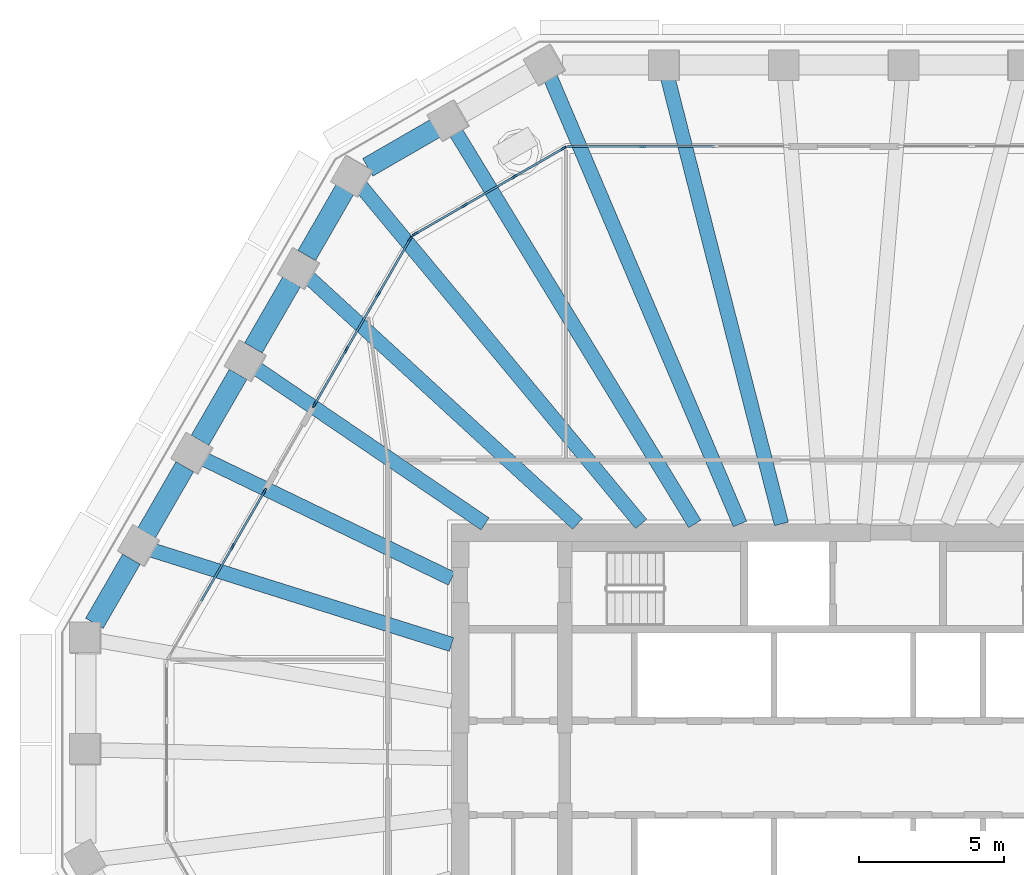
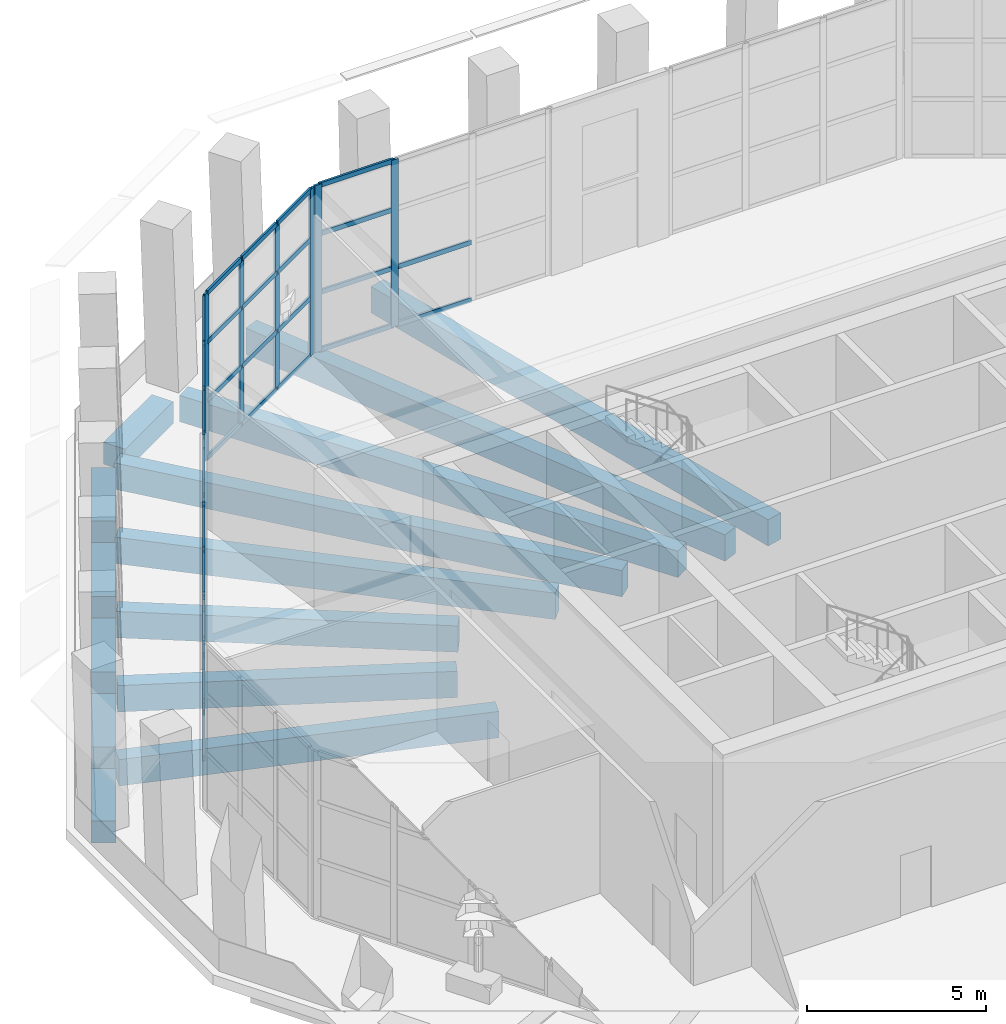
# One storey, part 6 of 19: 50 members, 14 beams, 4 elements without a shape of their own.
"""IFC4 building model written with IfcOpenShell, lengths in metres."""

from ifc_helpers import new_model, si_unit, direction, frame, origin, origin_2d, place, context, subcontext, project, spatial, rectangle, extrude, material, material_profile, profile_set, type_object, element, aggregate, save


model = new_model("IFC4")

# Units and contexts
model_context = context("Model", 3, precision=1e-05, world=origin(), true_north=direction((0.0, 1.0)))
body_context = subcontext(model_context, "Body", "Model", "MODEL_VIEW")
ifc_project = project(units=[si_unit("LENGTHUNIT", "METRE"), si_unit("AREAUNIT", "SQUARE_METRE"), si_unit("VOLUMEUNIT", "CUBIC_METRE"), si_unit("PLANEANGLEUNIT", "RADIAN"), si_unit("MASSUNIT", "GRAM", prefix="KILO")], contexts=[model_context])

# Site, building, storey
site_placement = place(None, origin())
site = spatial("IfcSite", under=ifc_project, at=site_placement, CompositionType="ELEMENT")
building_placement = place(site_placement, origin())
building = spatial("IfcBuilding", under=site, at=building_placement, Name="Frailejon Research Tower", CompositionType="ELEMENT")
storey_placement = place(building_placement, frame((0.0, 0.0, 231.39990234375)))
storey = spatial("IfcBuildingStorey", under=building, at=storey_placement, Name="L50", CompositionType="ELEMENT", Elevation=231.39990234375)

# Beams
ifc_material_1 = material(Name="Concrete C60/75", Category="concrete")
ifc_material_profile_1 = material_profile(ifc_material_1, rectangle(XDim=0.5, YDim=0.89990234375, at=origin_2d()), Name="Girder 500x900")
ifc_profile_set_1 = profile_set([ifc_material_profile_1], Name="Concrete C60/75")
beam_type_1 = type_object("IfcBeamType", Name="Girder 500x900", PredefinedType="BEAM", material=ifc_profile_set_1)
beam_1_placement = place(storey_placement, frame((-6.070556640625, 23.8203125, -0.75), z_axis=(0.24694438602, -0.969029653939, 0.0), x_axis=(0.969029653939, 0.24694438602, 0.0)))
element("IfcBeam", 1, at=beam_1_placement, inside=storey, type_object=beam_type_1, Name="Girder 500x900", PredefinedType="BEAM", context=body_context, shape_type="SweptSolid", body=[
    extrude(rectangle(XDim=0.5, YDim=0.89990234375, at=origin_2d()), origin(), (0.0, 0.0, 1.0), 15.913330078125),
])
beam_2_placement = place(storey_placement, frame((-10.130859375, 23.851318359375, -0.75), z_axis=(0.390945698015, -0.920413744575, 0.0), x_axis=(0.920413744575, 0.390945698015, 0.0)))
element("IfcBeam", 2, at=beam_2_placement, inside=storey, type_object=beam_type_1, Name="Girder 500x900", PredefinedType="BEAM", context=body_context, shape_type="SweptSolid", body=[
    extrude(rectangle(XDim=0.5, YDim=0.89990234375, at=origin_2d()), origin(), (0.0, 0.0, 1.0), 16.787353515625),
])
beam_3_placement = place(storey_placement, frame((-13.397705078125, 21.96630859375, -0.75), z_axis=(0.520709037353, -0.853734208298, 0.0), x_axis=(0.853734208298, 0.520709037353, 0.0)))
element("IfcBeam", 3, at=beam_3_placement, inside=storey, type_object=beam_type_1, Name="Girder 500x900", PredefinedType="BEAM", context=body_context, shape_type="SweptSolid", body=[
    extrude(rectangle(XDim=0.5, YDim=0.89990234375, at=origin_2d()), origin(), (0.0, 0.0, 1.0), 15.890625),
])
beam_4_placement = place(storey_placement, frame((-16.645263671875, 20.057861328125, -0.75), z_axis=(0.638609020392, -0.769531363281, 0.0), x_axis=(0.769531363281, 0.638609020392, 0.0)))
element("IfcBeam", 4, at=beam_4_placement, inside=storey, type_object=beam_type_1, Name="Girder 500x900", PredefinedType="BEAM", context=body_context, shape_type="SweptSolid", body=[
    extrude(rectangle(XDim=0.5, YDim=0.89990234375, at=origin_2d()), origin(), (0.0, 0.0, 1.0), 15.1494140625),
])
beam_5_placement = place(storey_placement, frame((-18.459228515625, 16.927490234375, -0.75), z_axis=(0.737027222867, -0.675863057693, 0.0), x_axis=(0.675863057693, 0.737027222867, 0.0)))
element("IfcBeam", 5, at=beam_5_placement, inside=storey, type_object=beam_type_1, Name="Girder 500x900", PredefinedType="BEAM", context=body_context, shape_type="SweptSolid", body=[
    extrude(rectangle(XDim=0.5, YDim=0.89990234375, at=origin_2d()), origin(), (0.0, 0.0, 1.0), 12.617431640625),
])
beam_6_placement = place(storey_placement, frame((-20.27197265625, 13.794189453125, -0.75), z_axis=(0.826752189304, -0.5625662783, 0.0), x_axis=(0.5625662783, 0.826752189304, 0.0)))
element("IfcBeam", 6, at=beam_6_placement, inside=storey, type_object=beam_type_1, Name="Girder 500x900", PredefinedType="BEAM", context=body_context, shape_type="SweptSolid", body=[
    extrude(rectangle(XDim=0.5, YDim=0.89990234375, at=origin_2d()), origin(), (0.0, 0.0, 1.0), 9.588623046875),
])
beam_7_placement = place(storey_placement, frame((-22.082275390625, 10.658935546875, -0.75), z_axis=(0.90057584555, -0.434698914667, 0.0), x_axis=(0.434698914667, 0.90057584555, 0.0)))
element("IfcBeam", 7, at=beam_7_placement, inside=storey, type_object=beam_type_1, Name="Girder 500x900", PredefinedType="BEAM", context=body_context, shape_type="SweptSolid", body=[
    extrude(rectangle(XDim=0.5, YDim=0.89990234375, at=origin_2d()), origin(), (0.0, 0.0, 1.0), 9.52978515625),
])
beam_8_placement = place(storey_placement, frame((-23.889404296875, 7.5224609375, -0.75), z_axis=(0.953829632045, -0.300348186333, 0.0), x_axis=(0.300348186333, 0.953829632045, 0.0)))
element("IfcBeam", 8, at=beam_8_placement, inside=storey, type_object=beam_type_1, Name="Girder 500x900", PredefinedType="BEAM", context=body_context, shape_type="SweptSolid", body=[
    extrude(rectangle(XDim=0.5, YDim=0.89990234375, at=origin_2d()), origin(), (0.0, 0.0, 1.0), 10.892333984375),
])

# Curtain wall, members
ifc_material_2 = material(Name="Aluminium curtain wall", Category="aluminium")
curtain_wall_type = type_object("IfcCurtainWallType", Name="Sky lobby curtain wall system", PredefinedType="NOTDEFINED", material=ifc_material_2)
curtain_wall_1_placement = place(storey_placement, origin())
curtain_wall_1 = element("IfcCurtainWall", 9, at=curtain_wall_1_placement, inside=storey, type_object=curtain_wall_type, Name="Curtain wall L50", PredefinedType="NOTDEFINED")
ifc_material_3 = material(Name="Aluminium extrusion", Category="aluminium")
ifc_material_profile_2 = material_profile(ifc_material_3, rectangle(XDim=0.070068359375, YDim=0.219970703125, at=origin_2d()), Name="Sky lobby curtain wall mullion 70x220")
ifc_profile_set_2 = profile_set([ifc_material_profile_2], Name="Aluminium extrusion")
member_type_1 = type_object("IfcMemberType", Name="Sky lobby curtain wall mullion 70x220", PredefinedType="MULLION", material=ifc_profile_set_2)
member_1_placement = place(storey_placement, frame((-6.921142578125, 21.39990234375, 0.0), z_axis=(0.0, 0.0, 1.0), x_axis=(0.0, -1.0, 0.0)))
member_1 = element("IfcMember", 10, at=member_1_placement, type_object=member_type_1, Name="CW4-104 mullion 3", PredefinedType="MULLION", context=body_context, shape_type="SweptSolid", body=[
    extrude(rectangle(XDim=0.070068359375, YDim=0.219970703125, at=origin_2d()), origin(), (0.0, 0.0, 1.0), 5.7001953125),
])
member_2_placement = place(storey_placement, frame((-9.393798828125, 21.39990234375, 0.0), z_axis=(0.0, 0.0, 1.0), x_axis=(0.0, -1.0, 0.0)))
member_2 = element("IfcMember", 11, at=member_2_placement, type_object=member_type_1, Name="CW4-104 mullion 4", PredefinedType="MULLION", context=body_context, shape_type="SweptSolid", body=[
    extrude(rectangle(XDim=0.070068359375, YDim=0.219970703125, at=origin_2d()), origin(), (0.0, 0.0, 1.0), 5.7001953125),
])

curtain_wall_2_placement = place(storey_placement, origin())
curtain_wall_2 = element("IfcCurtainWall", 12, at=curtain_wall_2_placement, inside=storey, type_object=curtain_wall_type, Name="Curtain wall L50", PredefinedType="NOTDEFINED")
member_3_placement = place(storey_placement, frame((-9.6455078125, 21.33251953125, 0.0), z_axis=(0.0, 0.0, 1.0), x_axis=(0.500010854885, -0.866019136623, 0.0)))
member_3 = element("IfcMember", 13, at=member_3_placement, type_object=member_type_1, Name="CW4-105 mullion 1", PredefinedType="MULLION", context=body_context, shape_type="SweptSolid", body=[
    extrude(rectangle(XDim=0.070068359375, YDim=0.219970703125, at=origin_2d()), origin(), (0.0, 0.0, 1.0), 5.7001953125),
])
member_4_placement = place(storey_placement, frame((-11.333740234375, 20.35791015625, 0.0), z_axis=(0.0, 0.0, 1.0), x_axis=(0.500010854885, -0.866019136623, 0.0)))
member_4 = element("IfcMember", 14, at=member_4_placement, type_object=member_type_1, Name="CW4-105 mullion 2", PredefinedType="MULLION", context=body_context, shape_type="SweptSolid", body=[
    extrude(rectangle(XDim=0.070068359375, YDim=0.219970703125, at=origin_2d()), origin(), (0.0, 0.0, 1.0), 5.7001953125),
])
member_5_placement = place(storey_placement, frame((-13.05224609375, 19.36572265625, 0.0), z_axis=(0.0, 0.0, 1.0), x_axis=(0.500010854885, -0.866019136623, 0.0)))
member_5 = element("IfcMember", 15, at=member_5_placement, type_object=member_type_1, Name="CW4-105 mullion 3", PredefinedType="MULLION", context=body_context, shape_type="SweptSolid", body=[
    extrude(rectangle(XDim=0.070068359375, YDim=0.219970703125, at=origin_2d()), origin(), (0.0, 0.0, 1.0), 5.7001953125),
])
member_6_placement = place(storey_placement, frame((-14.740234375, 18.39111328125, 0.0), z_axis=(0.0, 0.0, 1.0), x_axis=(0.500010854885, -0.866019136623, 0.0)))
member_6 = element("IfcMember", 16, at=member_6_placement, type_object=member_type_1, Name="CW4-105 mullion 4", PredefinedType="MULLION", context=body_context, shape_type="SweptSolid", body=[
    extrude(rectangle(XDim=0.070068359375, YDim=0.219970703125, at=origin_2d()), origin(), (0.0, 0.0, 1.0), 5.7001953125),
])

curtain_wall_3_placement = place(storey_placement, origin())
curtain_wall_3 = element("IfcCurtainWall", 17, at=curtain_wall_3_placement, inside=storey, type_object=curtain_wall_type, Name="Curtain wall L50", PredefinedType="NOTDEFINED")
member_7_placement = place(storey_placement, frame((-14.9248046875, 18.20654296875, 0.0), z_axis=(0.0, 0.0, 1.0), x_axis=(0.866025366731, -0.500000064178, 0.0)))
member_7 = element("IfcMember", 18, at=member_7_placement, type_object=member_type_1, Name="CW4-106 mullion 1", PredefinedType="MULLION", context=body_context, shape_type="SweptSolid", body=[
    extrude(rectangle(XDim=0.070068359375, YDim=0.219970703125, at=origin_2d()), origin(), (0.0, 0.0, 1.0), 5.7001953125),
])
member_8_placement = place(storey_placement, frame((-16.015869140625, 16.316650390625, 0.0), z_axis=(0.0, 0.0, 1.0), x_axis=(0.866025366731, -0.500000064178, 0.0)))
member_8 = element("IfcMember", 19, at=member_8_placement, type_object=member_type_1, Name="CW4-106 mullion 2", PredefinedType="MULLION", context=body_context, shape_type="SweptSolid", body=[
    extrude(rectangle(XDim=0.070068359375, YDim=0.219970703125, at=origin_2d()), origin(), (0.0, 0.0, 1.0), 5.7001953125),
])
member_9_placement = place(storey_placement, frame((-17.12451171875, 14.396484375, 0.0), z_axis=(0.0, 0.0, 1.0), x_axis=(0.866025366731, -0.500000064178, 0.0)))
member_9 = element("IfcMember", 20, at=member_9_placement, type_object=member_type_1, Name="CW4-106 mullion 3", PredefinedType="MULLION", context=body_context, shape_type="SweptSolid", body=[
    extrude(rectangle(XDim=0.070068359375, YDim=0.219970703125, at=origin_2d()), origin(), (0.0, 0.0, 1.0), 5.7001953125),
])
member_10_placement = place(storey_placement, frame((-18.2158203125, 12.50634765625, 0.0), z_axis=(0.0, 0.0, 1.0), x_axis=(0.866025366731, -0.500000064178, 0.0)))
member_10 = element("IfcMember", 21, at=member_10_placement, type_object=member_type_1, Name="CW4-106 mullion 4", PredefinedType="MULLION", context=body_context, shape_type="SweptSolid", body=[
    extrude(rectangle(XDim=0.070068359375, YDim=0.219970703125, at=origin_2d()), origin(), (0.0, 0.0, 1.0), 5.7001953125),
])

curtain_wall_4_placement = place(storey_placement, origin())
curtain_wall_4 = element("IfcCurtainWall", 22, at=curtain_wall_4_placement, inside=storey, type_object=curtain_wall_type, Name="Curtain wall L50", PredefinedType="NOTDEFINED")
member_11_placement = place(storey_placement, frame((-19.938720703125, 9.52197265625, 0.0), z_axis=(0.0, 0.0, 1.0), x_axis=(0.866025366731, -0.500000064178, 0.0)))
member_11 = element("IfcMember", 23, at=member_11_placement, type_object=member_type_1, Name="CW4-107 mullion 1", PredefinedType="MULLION", context=body_context, shape_type="SweptSolid", body=[
    extrude(rectangle(XDim=0.070068359375, YDim=0.219970703125, at=origin_2d()), origin(), (0.0, 0.0, 1.0), 5.7001953125),
])
member_12_placement = place(storey_placement, frame((-21.030029296875, 7.632080078125, 0.0), z_axis=(0.0, 0.0, 1.0), x_axis=(0.866025366731, -0.500000064178, 0.0)))
member_12 = element("IfcMember", 24, at=member_12_placement, type_object=member_type_1, Name="CW4-107 mullion 2", PredefinedType="MULLION", context=body_context, shape_type="SweptSolid", body=[
    extrude(rectangle(XDim=0.070068359375, YDim=0.219970703125, at=origin_2d()), origin(), (0.0, 0.0, 1.0), 5.7001953125),
])

# Member
ifc_material_4 = material(Name="Aluminium extrusion", Category="aluminium")
ifc_material_profile_3 = material_profile(ifc_material_4, rectangle(XDim=0.070068359375, YDim=0.159912109375, at=origin_2d()), Name="Sky lobby curtain wall transom 70x160")
ifc_profile_set_3 = profile_set([ifc_material_profile_3], Name="Aluminium extrusion")
member_type_2 = type_object("IfcMemberType", Name="Sky lobby curtain wall transom 70x160", PredefinedType="USERDEFINED", material=ifc_profile_set_3)
member_13_placement = place(storey_placement, frame((-4.448486328125, 21.39990234375, 0.03515625), z_axis=(-1.0, 0.0, 0.0), x_axis=(0.0, -1.0, 0.0)))
member_13 = element("IfcMember", 25, at=member_13_placement, type_object=member_type_2, Name="CW4-104 transom 2.1", ObjectType="TRANSOM", PredefinedType="USERDEFINED", context=body_context, shape_type="SweptSolid", body=[
    extrude(rectangle(XDim=0.070068359375, YDim=0.159912109375, at=origin_2d()), origin(), (0.0, 0.0, 1.0), 2.4375),
])

member_14_placement = place(storey_placement, frame((-4.448486328125, 21.39990234375, 2.0), z_axis=(-1.0, 0.0, 0.0), x_axis=(0.0, -1.0, 0.0)))
member_14 = element("IfcMember", 26, at=member_14_placement, type_object=member_type_2, Name="CW4-104 transom 2.2", ObjectType="TRANSOM", PredefinedType="USERDEFINED", context=body_context, shape_type="SweptSolid", body=[
    extrude(rectangle(XDim=0.070068359375, YDim=0.159912109375, at=origin_2d()), origin(), (0.0, 0.0, 1.0), 2.4375),
])

member_15_placement = place(storey_placement, frame((-6.9560546875, 21.39990234375, 0.03515625), z_axis=(-1.0, 0.0, 0.0), x_axis=(0.0, -1.0, 0.0)))
member_15 = element("IfcMember", 27, at=member_15_placement, type_object=member_type_2, Name="CW4-104 transom 3.1", ObjectType="TRANSOM", PredefinedType="USERDEFINED", context=body_context, shape_type="SweptSolid", body=[
    extrude(rectangle(XDim=0.070068359375, YDim=0.159912109375, at=origin_2d()), origin(), (0.0, 0.0, 1.0), 2.402587890625),
])

member_16_placement = place(storey_placement, frame((-6.9560546875, 21.39990234375, 2.0), z_axis=(-1.0, 0.0, 0.0), x_axis=(0.0, -1.0, 0.0)))
member_16 = element("IfcMember", 28, at=member_16_placement, type_object=member_type_2, Name="CW4-104 transom 3.2", ObjectType="TRANSOM", PredefinedType="USERDEFINED", context=body_context, shape_type="SweptSolid", body=[
    extrude(rectangle(XDim=0.070068359375, YDim=0.159912109375, at=origin_2d()), origin(), (0.0, 0.0, 1.0), 2.402587890625),
])

member_17_placement = place(storey_placement, frame((-6.9560546875, 21.39990234375, 4.0), z_axis=(-1.0, 0.0, 0.0), x_axis=(0.0, -1.0, 0.0)))
member_17 = element("IfcMember", 29, at=member_17_placement, type_object=member_type_2, Name="CW4-104 transom 3.3", ObjectType="TRANSOM", PredefinedType="USERDEFINED", context=body_context, shape_type="SweptSolid", body=[
    extrude(rectangle(XDim=0.070068359375, YDim=0.159912109375, at=origin_2d()), origin(), (0.0, 0.0, 1.0), 2.402587890625),
])

member_18_placement = place(storey_placement, frame((-6.9560546875, 21.39990234375, 5.6650390625), z_axis=(-1.0, 0.0, 0.0), x_axis=(0.0, -1.0, 0.0)))
member_18 = element("IfcMember", 30, at=member_18_placement, type_object=member_type_2, Name="CW4-104 transom 3.4", ObjectType="TRANSOM", PredefinedType="USERDEFINED", context=body_context, shape_type="SweptSolid", body=[
    extrude(rectangle(XDim=0.070068359375, YDim=0.159912109375, at=origin_2d()), origin(), (0.0, 0.0, 1.0), 2.402587890625),
])

aggregate(curtain_wall_1, [member_1, member_2, member_13, member_14, member_15, member_16, member_17, member_18])

member_19_placement = place(storey_placement, frame((-9.676025390625, 21.31494140625, 0.03515625), z_axis=(-0.866003851672, -0.500037327496, 0.0), x_axis=(0.500037327496, -0.866003851672, 0.0)))
member_19 = element("IfcMember", 31, at=member_19_placement, type_object=member_type_2, Name="CW4-105 transom 1.1", ObjectType="TRANSOM", PredefinedType="USERDEFINED", context=body_context, shape_type="SweptSolid", body=[
    extrude(rectangle(XDim=0.070068359375, YDim=0.159912109375, at=origin_2d()), origin(), (0.0, 0.0, 1.0), 1.879150390625),
])

member_20_placement = place(storey_placement, frame((-9.676025390625, 21.31494140625, 2.0), z_axis=(-0.866003851672, -0.500037327496, 0.0), x_axis=(0.500037327496, -0.866003851672, 0.0)))
member_20 = element("IfcMember", 32, at=member_20_placement, type_object=member_type_2, Name="CW4-105 transom 1.2", ObjectType="TRANSOM", PredefinedType="USERDEFINED", context=body_context, shape_type="SweptSolid", body=[
    extrude(rectangle(XDim=0.070068359375, YDim=0.159912109375, at=origin_2d()), origin(), (0.0, 0.0, 1.0), 1.879150390625),
])

member_21_placement = place(storey_placement, frame((-9.676025390625, 21.31494140625, 4.0), z_axis=(-0.866003851672, -0.500037327496, 0.0), x_axis=(0.500037327496, -0.866003851672, 0.0)))
member_21 = element("IfcMember", 33, at=member_21_placement, type_object=member_type_2, Name="CW4-105 transom 1.3", ObjectType="TRANSOM", PredefinedType="USERDEFINED", context=body_context, shape_type="SweptSolid", body=[
    extrude(rectangle(XDim=0.070068359375, YDim=0.159912109375, at=origin_2d()), origin(), (0.0, 0.0, 1.0), 1.879150390625),
])

member_22_placement = place(storey_placement, frame((-9.676025390625, 21.31494140625, 5.6650390625), z_axis=(-0.866003851672, -0.500037327496, 0.0), x_axis=(0.500037327496, -0.866003851672, 0.0)))
member_22 = element("IfcMember", 34, at=member_22_placement, type_object=member_type_2, Name="CW4-105 transom 1.4", ObjectType="TRANSOM", PredefinedType="USERDEFINED", context=body_context, shape_type="SweptSolid", body=[
    extrude(rectangle(XDim=0.070068359375, YDim=0.159912109375, at=origin_2d()), origin(), (0.0, 0.0, 1.0), 1.879150390625),
])

member_23_placement = place(storey_placement, frame((-11.364013671875, 20.34033203125, 0.03515625), z_axis=(-0.866013568815, -0.500020498207, 0.0), x_axis=(0.500020498207, -0.866013568815, 0.0)))
member_23 = element("IfcMember", 35, at=member_23_placement, type_object=member_type_2, Name="CW4-105 transom 2.1", ObjectType="TRANSOM", PredefinedType="USERDEFINED", context=body_context, shape_type="SweptSolid", body=[
    extrude(rectangle(XDim=0.070068359375, YDim=0.159912109375, at=origin_2d()), origin(), (0.0, 0.0, 1.0), 1.91455078125),
])

member_24_placement = place(storey_placement, frame((-11.364013671875, 20.34033203125, 2.0), z_axis=(-0.866013568815, -0.500020498207, 0.0), x_axis=(0.500020498207, -0.866013568815, 0.0)))
member_24 = element("IfcMember", 36, at=member_24_placement, type_object=member_type_2, Name="CW4-105 transom 2.2", ObjectType="TRANSOM", PredefinedType="USERDEFINED", context=body_context, shape_type="SweptSolid", body=[
    extrude(rectangle(XDim=0.070068359375, YDim=0.159912109375, at=origin_2d()), origin(), (0.0, 0.0, 1.0), 1.91455078125),
])

member_25_placement = place(storey_placement, frame((-11.364013671875, 20.34033203125, 4.0), z_axis=(-0.866013568815, -0.500020498207, 0.0), x_axis=(0.500020498207, -0.866013568815, 0.0)))
member_25 = element("IfcMember", 37, at=member_25_placement, type_object=member_type_2, Name="CW4-105 transom 2.3", ObjectType="TRANSOM", PredefinedType="USERDEFINED", context=body_context, shape_type="SweptSolid", body=[
    extrude(rectangle(XDim=0.070068359375, YDim=0.159912109375, at=origin_2d()), origin(), (0.0, 0.0, 1.0), 1.91455078125),
])

member_26_placement = place(storey_placement, frame((-11.364013671875, 20.34033203125, 5.6650390625), z_axis=(-0.866013568815, -0.500020498207, 0.0), x_axis=(0.500020498207, -0.866013568815, 0.0)))
member_26 = element("IfcMember", 38, at=member_26_placement, type_object=member_type_2, Name="CW4-105 transom 2.4", ObjectType="TRANSOM", PredefinedType="USERDEFINED", context=body_context, shape_type="SweptSolid", body=[
    extrude(rectangle(XDim=0.070068359375, YDim=0.159912109375, at=origin_2d()), origin(), (0.0, 0.0, 1.0), 1.91455078125),
])

member_27_placement = place(storey_placement, frame((-13.08251953125, 19.34814453125, 0.03515625), z_axis=(-0.866003851672, -0.500037327496, 0.0), x_axis=(0.500037327496, -0.866003851672, 0.0)))
member_27 = element("IfcMember", 39, at=member_27_placement, type_object=member_type_2, Name="CW4-105 transom 3.1", ObjectType="TRANSOM", PredefinedType="USERDEFINED", context=body_context, shape_type="SweptSolid", body=[
    extrude(rectangle(XDim=0.070068359375, YDim=0.159912109375, at=origin_2d()), origin(), (0.0, 0.0, 1.0), 1.879150390625),
])

member_28_placement = place(storey_placement, frame((-13.08251953125, 19.34814453125, 2.0), z_axis=(-0.866003851672, -0.500037327496, 0.0), x_axis=(0.500037327496, -0.866003851672, 0.0)))
member_28 = element("IfcMember", 40, at=member_28_placement, type_object=member_type_2, Name="CW4-105 transom 3.2", ObjectType="TRANSOM", PredefinedType="USERDEFINED", context=body_context, shape_type="SweptSolid", body=[
    extrude(rectangle(XDim=0.070068359375, YDim=0.159912109375, at=origin_2d()), origin(), (0.0, 0.0, 1.0), 1.879150390625),
])

member_29_placement = place(storey_placement, frame((-13.08251953125, 19.34814453125, 4.0), z_axis=(-0.866003851672, -0.500037327496, 0.0), x_axis=(0.500037327496, -0.866003851672, 0.0)))
member_29 = element("IfcMember", 41, at=member_29_placement, type_object=member_type_2, Name="CW4-105 transom 3.3", ObjectType="TRANSOM", PredefinedType="USERDEFINED", context=body_context, shape_type="SweptSolid", body=[
    extrude(rectangle(XDim=0.070068359375, YDim=0.159912109375, at=origin_2d()), origin(), (0.0, 0.0, 1.0), 1.879150390625),
])

member_30_placement = place(storey_placement, frame((-13.08251953125, 19.34814453125, 5.6650390625), z_axis=(-0.866003851672, -0.500037327496, 0.0), x_axis=(0.500037327496, -0.866003851672, 0.0)))
member_30 = element("IfcMember", 42, at=member_30_placement, type_object=member_type_2, Name="CW4-105 transom 3.4", ObjectType="TRANSOM", PredefinedType="USERDEFINED", context=body_context, shape_type="SweptSolid", body=[
    extrude(rectangle(XDim=0.070068359375, YDim=0.159912109375, at=origin_2d()), origin(), (0.0, 0.0, 1.0), 1.879150390625),
])

aggregate(curtain_wall_2, [member_3, member_4, member_5, member_6, member_19, member_20, member_21, member_22, member_23, member_24, member_25, member_26, member_27, member_28, member_29, member_30])

member_31_placement = place(storey_placement, frame((-14.9423828125, 18.17626953125, 0.03515625), z_axis=(-0.499992582699, -0.866029686123, 0.0), x_axis=(0.866029686123, -0.499992582699, 0.0)))
member_31 = element("IfcMember", 43, at=member_31_placement, type_object=member_type_2, Name="CW4-106 transom 1.1", ObjectType="TRANSOM", PredefinedType="USERDEFINED", context=body_context, shape_type="SweptSolid", body=[
    extrude(rectangle(XDim=0.070068359375, YDim=0.159912109375, at=origin_2d()), origin(), (0.0, 0.0, 1.0), 2.1123046875),
])

member_32_placement = place(storey_placement, frame((-14.9423828125, 18.17626953125, 2.0), z_axis=(-0.499992582699, -0.866029686123, 0.0), x_axis=(0.866029686123, -0.499992582699, 0.0)))
member_32 = element("IfcMember", 44, at=member_32_placement, type_object=member_type_2, Name="CW4-106 transom 1.2", ObjectType="TRANSOM", PredefinedType="USERDEFINED", context=body_context, shape_type="SweptSolid", body=[
    extrude(rectangle(XDim=0.070068359375, YDim=0.159912109375, at=origin_2d()), origin(), (0.0, 0.0, 1.0), 2.1123046875),
])

member_33_placement = place(storey_placement, frame((-14.9423828125, 18.17626953125, 4.0), z_axis=(-0.499992582699, -0.866029686123, 0.0), x_axis=(0.866029686123, -0.499992582699, 0.0)))
member_33 = element("IfcMember", 45, at=member_33_placement, type_object=member_type_2, Name="CW4-106 transom 1.3", ObjectType="TRANSOM", PredefinedType="USERDEFINED", context=body_context, shape_type="SweptSolid", body=[
    extrude(rectangle(XDim=0.070068359375, YDim=0.159912109375, at=origin_2d()), origin(), (0.0, 0.0, 1.0), 2.1123046875),
])

member_34_placement = place(storey_placement, frame((-14.9423828125, 18.17626953125, 5.6650390625), z_axis=(-0.499992582699, -0.866029686123, 0.0), x_axis=(0.866029686123, -0.499992582699, 0.0)))
member_34 = element("IfcMember", 46, at=member_34_placement, type_object=member_type_2, Name="CW4-106 transom 1.4", ObjectType="TRANSOM", PredefinedType="USERDEFINED", context=body_context, shape_type="SweptSolid", body=[
    extrude(rectangle(XDim=0.070068359375, YDim=0.159912109375, at=origin_2d()), origin(), (0.0, 0.0, 1.0), 2.1123046875),
])

member_35_placement = place(storey_placement, frame((-16.033447265625, 16.286376953125, 0.03515625), z_axis=(-0.500027542156, -0.866009501729, 0.0), x_axis=(0.866009501729, -0.500027542156, 0.0)))
member_35 = element("IfcMember", 47, at=member_35_placement, type_object=member_type_2, Name="CW4-106 transom 2.1", ObjectType="TRANSOM", PredefinedType="USERDEFINED", context=body_context, shape_type="SweptSolid", body=[
    extrude(rectangle(XDim=0.070068359375, YDim=0.159912109375, at=origin_2d()), origin(), (0.0, 0.0, 1.0), 2.1474609375),
])

member_36_placement = place(storey_placement, frame((-16.033447265625, 16.286376953125, 2.0), z_axis=(-0.500027542156, -0.866009501729, 0.0), x_axis=(0.866009501729, -0.500027542156, 0.0)))
member_36 = element("IfcMember", 48, at=member_36_placement, type_object=member_type_2, Name="CW4-106 transom 2.2", ObjectType="TRANSOM", PredefinedType="USERDEFINED", context=body_context, shape_type="SweptSolid", body=[
    extrude(rectangle(XDim=0.070068359375, YDim=0.159912109375, at=origin_2d()), origin(), (0.0, 0.0, 1.0), 2.1474609375),
])

member_37_placement = place(storey_placement, frame((-16.033447265625, 16.286376953125, 4.0), z_axis=(-0.500027542156, -0.866009501729, 0.0), x_axis=(0.866009501729, -0.500027542156, 0.0)))
member_37 = element("IfcMember", 49, at=member_37_placement, type_object=member_type_2, Name="CW4-106 transom 2.3", ObjectType="TRANSOM", PredefinedType="USERDEFINED", context=body_context, shape_type="SweptSolid", body=[
    extrude(rectangle(XDim=0.070068359375, YDim=0.159912109375, at=origin_2d()), origin(), (0.0, 0.0, 1.0), 2.1474609375),
])

member_38_placement = place(storey_placement, frame((-16.033447265625, 16.286376953125, 5.6650390625), z_axis=(-0.500027542156, -0.866009501729, 0.0), x_axis=(0.866009501729, -0.500027542156, 0.0)))
member_38 = element("IfcMember", 50, at=member_38_placement, type_object=member_type_2, Name="CW4-106 transom 2.4", ObjectType="TRANSOM", PredefinedType="USERDEFINED", context=body_context, shape_type="SweptSolid", body=[
    extrude(rectangle(XDim=0.070068359375, YDim=0.159912109375, at=origin_2d()), origin(), (0.0, 0.0, 1.0), 2.1474609375),
])

member_39_placement = place(storey_placement, frame((-17.14208984375, 14.365966796875, 0.03515625), z_axis=(-0.499992582699, -0.866029686123, 0.0), x_axis=(0.866029686123, -0.499992582699, 0.0)))
member_39 = element("IfcMember", 51, at=member_39_placement, type_object=member_type_2, Name="CW4-106 transom 3.1", ObjectType="TRANSOM", PredefinedType="USERDEFINED", context=body_context, shape_type="SweptSolid", body=[
    extrude(rectangle(XDim=0.070068359375, YDim=0.159912109375, at=origin_2d()), origin(), (0.0, 0.0, 1.0), 2.1123046875),
])

member_40_placement = place(storey_placement, frame((-17.14208984375, 14.365966796875, 2.0), z_axis=(-0.499992582699, -0.866029686123, 0.0), x_axis=(0.866029686123, -0.499992582699, 0.0)))
member_40 = element("IfcMember", 52, at=member_40_placement, type_object=member_type_2, Name="CW4-106 transom 3.2", ObjectType="TRANSOM", PredefinedType="USERDEFINED", context=body_context, shape_type="SweptSolid", body=[
    extrude(rectangle(XDim=0.070068359375, YDim=0.159912109375, at=origin_2d()), origin(), (0.0, 0.0, 1.0), 2.1123046875),
])

member_41_placement = place(storey_placement, frame((-17.14208984375, 14.365966796875, 4.0), z_axis=(-0.499992582699, -0.866029686123, 0.0), x_axis=(0.866029686123, -0.499992582699, 0.0)))
member_41 = element("IfcMember", 53, at=member_41_placement, type_object=member_type_2, Name="CW4-106 transom 3.3", ObjectType="TRANSOM", PredefinedType="USERDEFINED", context=body_context, shape_type="SweptSolid", body=[
    extrude(rectangle(XDim=0.070068359375, YDim=0.159912109375, at=origin_2d()), origin(), (0.0, 0.0, 1.0), 2.1123046875),
])

member_42_placement = place(storey_placement, frame((-17.14208984375, 14.365966796875, 5.6650390625), z_axis=(-0.499992582699, -0.866029686123, 0.0), x_axis=(0.866029686123, -0.499992582699, 0.0)))
member_42 = element("IfcMember", 54, at=member_42_placement, type_object=member_type_2, Name="CW4-106 transom 3.4", ObjectType="TRANSOM", PredefinedType="USERDEFINED", context=body_context, shape_type="SweptSolid", body=[
    extrude(rectangle(XDim=0.070068359375, YDim=0.159912109375, at=origin_2d()), origin(), (0.0, 0.0, 1.0), 2.1123046875),
])

aggregate(curtain_wall_3, [member_7, member_8, member_9, member_10, member_31, member_32, member_33, member_34, member_35, member_36, member_37, member_38, member_39, member_40, member_41, member_42])

member_43_placement = place(storey_placement, frame((-19.956298828125, 9.49169921875, 0.03515625), z_axis=(-0.499992582699, -0.866029686123, 0.0), x_axis=(0.866029686123, -0.499992582699, 0.0)))
member_43 = element("IfcMember", 55, at=member_43_placement, type_object=member_type_2, Name="CW4-107 transom 1.1", ObjectType="TRANSOM", PredefinedType="USERDEFINED", context=body_context, shape_type="SweptSolid", body=[
    extrude(rectangle(XDim=0.070068359375, YDim=0.159912109375, at=origin_2d()), origin(), (0.0, 0.0, 1.0), 2.1123046875),
])

member_44_placement = place(storey_placement, frame((-19.956298828125, 9.49169921875, 2.0), z_axis=(-0.499992582699, -0.866029686123, 0.0), x_axis=(0.866029686123, -0.499992582699, 0.0)))
member_44 = element("IfcMember", 56, at=member_44_placement, type_object=member_type_2, Name="CW4-107 transom 1.2", ObjectType="TRANSOM", PredefinedType="USERDEFINED", context=body_context, shape_type="SweptSolid", body=[
    extrude(rectangle(XDim=0.070068359375, YDim=0.159912109375, at=origin_2d()), origin(), (0.0, 0.0, 1.0), 2.1123046875),
])

member_45_placement = place(storey_placement, frame((-19.956298828125, 9.49169921875, 4.0), z_axis=(-0.499992582699, -0.866029686123, 0.0), x_axis=(0.866029686123, -0.499992582699, 0.0)))
member_45 = element("IfcMember", 57, at=member_45_placement, type_object=member_type_2, Name="CW4-107 transom 1.3", ObjectType="TRANSOM", PredefinedType="USERDEFINED", context=body_context, shape_type="SweptSolid", body=[
    extrude(rectangle(XDim=0.070068359375, YDim=0.159912109375, at=origin_2d()), origin(), (0.0, 0.0, 1.0), 2.1123046875),
])

member_46_placement = place(storey_placement, frame((-19.956298828125, 9.49169921875, 5.6650390625), z_axis=(-0.499992582699, -0.866029686123, 0.0), x_axis=(0.866029686123, -0.499992582699, 0.0)))
member_46 = element("IfcMember", 58, at=member_46_placement, type_object=member_type_2, Name="CW4-107 transom 1.4", ObjectType="TRANSOM", PredefinedType="USERDEFINED", context=body_context, shape_type="SweptSolid", body=[
    extrude(rectangle(XDim=0.070068359375, YDim=0.159912109375, at=origin_2d()), origin(), (0.0, 0.0, 1.0), 2.1123046875),
])

member_47_placement = place(storey_placement, frame((-21.04736328125, 7.601806640625, 0.03515625), z_axis=(-0.500027542156, -0.866009501729, 0.0), x_axis=(0.866009501729, -0.500027542156, 0.0)))
member_47 = element("IfcMember", 59, at=member_47_placement, type_object=member_type_2, Name="CW4-107 transom 2.1", ObjectType="TRANSOM", PredefinedType="USERDEFINED", context=body_context, shape_type="SweptSolid", body=[
    extrude(rectangle(XDim=0.070068359375, YDim=0.159912109375, at=origin_2d()), origin(), (0.0, 0.0, 1.0), 2.1474609375),
])

member_48_placement = place(storey_placement, frame((-21.04736328125, 7.601806640625, 2.0), z_axis=(-0.500027542156, -0.866009501729, 0.0), x_axis=(0.866009501729, -0.500027542156, 0.0)))
member_48 = element("IfcMember", 60, at=member_48_placement, type_object=member_type_2, Name="CW4-107 transom 2.2", ObjectType="TRANSOM", PredefinedType="USERDEFINED", context=body_context, shape_type="SweptSolid", body=[
    extrude(rectangle(XDim=0.070068359375, YDim=0.159912109375, at=origin_2d()), origin(), (0.0, 0.0, 1.0), 2.1474609375),
])

member_49_placement = place(storey_placement, frame((-21.04736328125, 7.601806640625, 4.0), z_axis=(-0.500027542156, -0.866009501729, 0.0), x_axis=(0.866009501729, -0.500027542156, 0.0)))
member_49 = element("IfcMember", 61, at=member_49_placement, type_object=member_type_2, Name="CW4-107 transom 2.3", ObjectType="TRANSOM", PredefinedType="USERDEFINED", context=body_context, shape_type="SweptSolid", body=[
    extrude(rectangle(XDim=0.070068359375, YDim=0.159912109375, at=origin_2d()), origin(), (0.0, 0.0, 1.0), 2.1474609375),
])

member_50_placement = place(storey_placement, frame((-21.04736328125, 7.601806640625, 5.6650390625), z_axis=(-0.500027542156, -0.866009501729, 0.0), x_axis=(0.866009501729, -0.500027542156, 0.0)))
member_50 = element("IfcMember", 62, at=member_50_placement, type_object=member_type_2, Name="CW4-107 transom 2.4", ObjectType="TRANSOM", PredefinedType="USERDEFINED", context=body_context, shape_type="SweptSolid", body=[
    extrude(rectangle(XDim=0.070068359375, YDim=0.159912109375, at=origin_2d()), origin(), (0.0, 0.0, 1.0), 2.1474609375),
])

aggregate(curtain_wall_4, [member_11, member_12, member_43, member_44, member_45, member_46, member_47, member_48, member_49, member_50])

# Beams
ifc_material_5 = material(Name="Concrete C60/75", Category="concrete")
ifc_material_profile_4 = material_profile(ifc_material_5, rectangle(XDim=0.699951171875, YDim=0.75, at=origin_2d()), Name="Spandrel 700x750")
ifc_profile_set_4 = profile_set([ifc_material_profile_4], Name="Concrete C60/75")
beam_type_2 = type_object("IfcBeamType", Name="Spandrel 700x750", PredefinedType="BEAM", material=ifc_profile_set_4)
beam_9_placement = place(storey_placement, frame((-14.047607421875, 22.024169921875, -0.724853515625), z_axis=(-0.866049846835, -0.499957661005, 0.0), x_axis=(0.499957661005, -0.866049846835, 0.0)))
element("IfcBeam", 63, at=beam_9_placement, inside=storey, type_object=beam_type_2, Name="Spandrel 700x750", PredefinedType="BEAM", context=body_context, shape_type="SweptSolid", body=[
    extrude(rectangle(XDim=0.699951171875, YDim=0.75, at=origin_2d()), origin(), (0.0, 0.0, 1.0), 2.695556640625),
])
for number, where, z_axis, x_axis, name in (
    (64, (-17.16943359375, 19.918701171875, -0.724853515625), (-0.499958506883, -0.866049358521, 0.0), (0.866049358521, -0.499958506883, 0.0), "Spandrel 700x750"),
    (65, (-19.007568359375, 16.735107421875, -0.724853515625), (-0.499958506883, -0.866049358521, 0.0), (0.866049358521, -0.499958506883, 0.0), "Spandrel 700x750"),
    (66, (-20.845703125, 13.551513671875, -0.724853515625), (-0.499958506883, -0.866049358521, 0.0), (0.866049358521, -0.499958506883, 0.0), "Spandrel 700x750"),
    (67, (-22.68359375, 10.367919921875, -0.724853515625), (-0.499958506883, -0.866049358521, 0.0), (0.866049358521, -0.499958506883, 0.0), "Spandrel 700x750"),
):
    element("IfcBeam", number, at=place(storey_placement, frame(where, z_axis=z_axis, x_axis=x_axis)), inside=storey, type_object=beam_type_2, Name=name, PredefinedType="BEAM", context=body_context, shape_type="SweptSolid", body=[
        extrude(rectangle(XDim=0.699951171875, YDim=0.75, at=origin_2d()), origin(), (0.0, 0.0, 1.0), 2.626220703125),
    ])
beam_10_placement = place(storey_placement, frame((-24.521728515625, 7.18408203125, -0.724853515625), z_axis=(-0.500018644096, -0.866014639343, 0.0), x_axis=(0.866014639343, -0.500018644096, 0.0)))
element("IfcBeam", 68, at=beam_10_placement, inside=storey, type_object=beam_type_2, Name="Spandrel 700x750", PredefinedType="BEAM", context=body_context, shape_type="SweptSolid", body=[
    extrude(rectangle(XDim=0.699951171875, YDim=0.75, at=origin_2d()), origin(), (0.0, 0.0, 1.0), 2.544921875),
])

save(model, "model.ifc")
